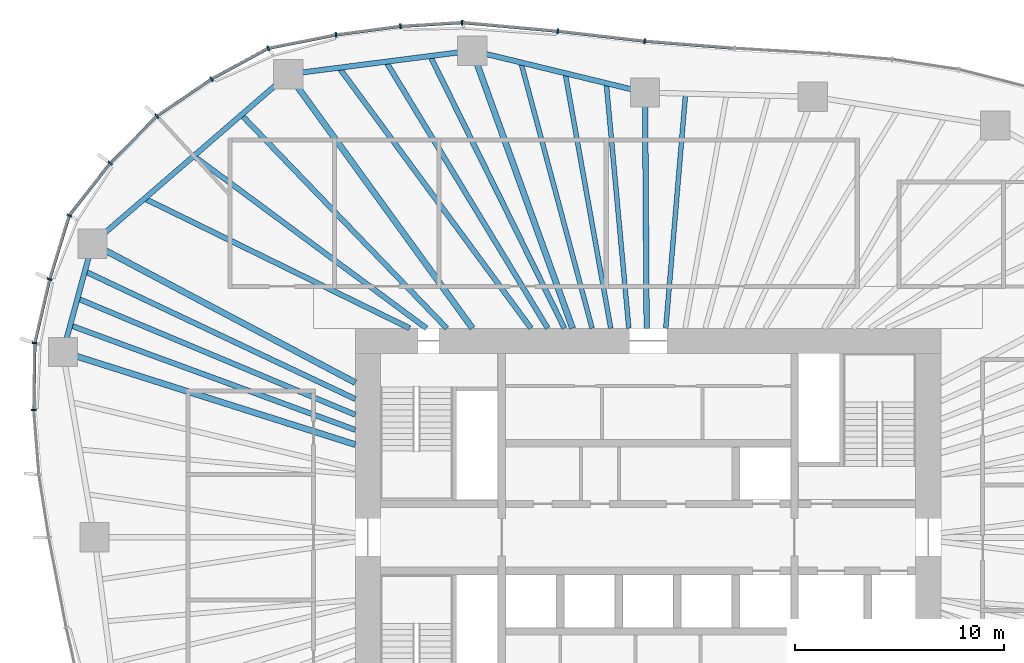
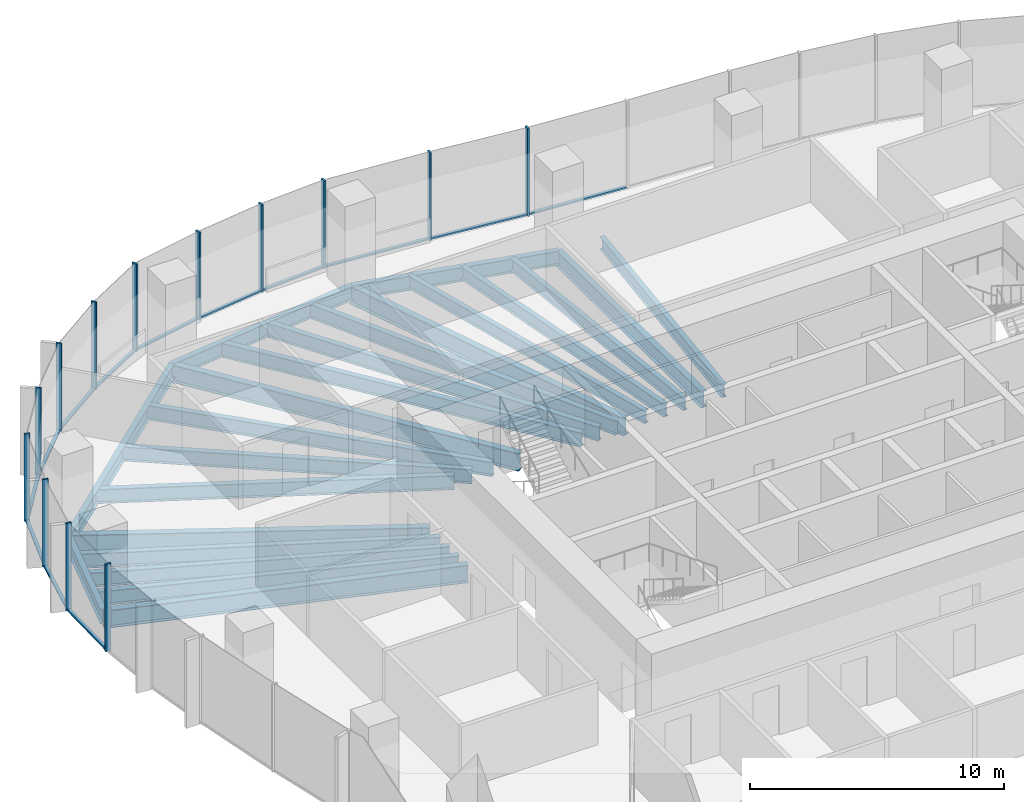
# One storey, part 5 of 18: 26 members, 22 beams, 6 elements without a shape of their own.
"""IFC4 building model written with IfcOpenShell, lengths in metres."""

from ifc_helpers import new_model, si_unit, direction, frame, origin, origin_2d, place, context, subcontext, project, spatial, rectangle, i_section, extrude, material, material_profile, profile_set, type_object, element, aggregate, save


model = new_model("IFC4")

# Units and contexts
model_context = context("Model", 3, precision=1e-05, world=origin(), true_north=direction((0.0, 1.0)))
body_context = subcontext(model_context, "Body", "Model", "MODEL_VIEW")
ifc_project = project(units=[si_unit("LENGTHUNIT", "METRE"), si_unit("AREAUNIT", "SQUARE_METRE"), si_unit("VOLUMEUNIT", "CUBIC_METRE"), si_unit("PLANEANGLEUNIT", "RADIAN"), si_unit("MASSUNIT", "GRAM", prefix="KILO")], contexts=[model_context])

# Site, building, storey
site_placement = place(None, origin())
site = spatial("IfcSite", under=ifc_project, at=site_placement, CompositionType="ELEMENT")
building_placement = place(site_placement, origin())
building = spatial("IfcBuilding", under=site, at=building_placement, Name="Ghaith Harvest Tower", CompositionType="ELEMENT")
storey_placement = place(building_placement, frame((0.0, 0.0, 180.60009765625)))
storey = spatial("IfcBuildingStorey", under=building, at=storey_placement, Name="L39", CompositionType="ELEMENT", Elevation=180.60009765625)

# Curtain wall, members
ifc_material_1 = material(Name="Black anodised aluminium and fritted glass", Category="aluminium")
curtain_wall_type = type_object("IfcCurtainWallType", Name="CW-L CURTAIN WALL", PredefinedType="NOTDEFINED", material=ifc_material_1)
curtain_wall_1_placement = place(storey_placement, origin())
curtain_wall_1 = element("IfcCurtainWall", 1, at=curtain_wall_1_placement, inside=storey, type_object=curtain_wall_type, Name="Curtain wall CW-L bay 06 L39", PredefinedType="NOTDEFINED")
ifc_material_2 = material(Name="Aluminium, black anodised", Category="aluminium")
ifc_material_profile_1 = material_profile(ifc_material_2, rectangle(XDim=0.080078125, YDim=0.239990234375, at=origin_2d()), Name="CW-L MULLION 80x240")
ifc_profile_set_1 = profile_set([ifc_material_profile_1], Name="Aluminium, black anodised")
member_type_1 = type_object("IfcMemberType", Name="CW-L MULLION 80x240", PredefinedType="MULLION", material=ifc_profile_set_1)
member_1_placement = place(storey_placement, frame((-0.162353515625, 23.729736328125, 0.0), z_axis=(0.0, 0.0, 1.0), x_axis=(-0.995388088953, 0.095929934691, 0.0)))
member_1 = element("IfcMember", 2, at=member_1_placement, type_object=member_type_1, Name="CW-L mullion 1 bay 06 L39", PredefinedType="MULLION", context=body_context, shape_type="SweptSolid", body=[
    extrude(rectangle(XDim=0.080078125, YDim=0.239990234375, at=origin_2d()), origin(), (0.0, 0.0, 1.0), 4.199951171875),
])
member_2_placement = place(storey_placement, frame((-4.322998046875, 24.207275390625, 0.0), z_axis=(0.0, 0.0, 1.0), x_axis=(-0.994830371571, 0.101550636625, 0.0)))
member_2 = element("IfcMember", 3, at=member_2_placement, type_object=member_type_1, Name="CW-L mullion 2 bay 06 L39", PredefinedType="MULLION", context=body_context, shape_type="SweptSolid", body=[
    extrude(rectangle(XDim=0.080078125, YDim=0.239990234375, at=origin_2d()), origin(), (0.0, 0.0, 1.0), 4.199951171875),
])

curtain_wall_2_placement = place(storey_placement, origin())
curtain_wall_2 = element("IfcCurtainWall", 4, at=curtain_wall_2_placement, inside=storey, type_object=curtain_wall_type, Name="Curtain wall CW-L bay 07 L39", PredefinedType="NOTDEFINED")
member_3_placement = place(storey_placement, frame((-8.892578125, 24.620849609375, 0.0), z_axis=(0.0, 0.0, 1.0), x_axis=(-0.999522209385, 0.030908784286, 0.0)))
member_3 = element("IfcMember", 5, at=member_3_placement, type_object=member_type_1, Name="CW-L mullion 1 bay 07 L39", PredefinedType="MULLION", context=body_context, shape_type="SweptSolid", body=[
    extrude(rectangle(XDim=0.080078125, YDim=0.239990234375, at=origin_2d()), origin(), (0.0, 0.0, 1.0), 4.199951171875),
])
member_4_placement = place(storey_placement, frame((-11.841064453125, 24.439697265625, 0.0), z_axis=(0.0, 0.0, 1.0), x_axis=(-0.995237520168, -0.097479630949, 0.0)))
member_4 = element("IfcMember", 6, at=member_4_placement, type_object=member_type_1, Name="CW-L mullion 2 bay 07 L39", PredefinedType="MULLION", context=body_context, shape_type="SweptSolid", body=[
    extrude(rectangle(XDim=0.080078125, YDim=0.239990234375, at=origin_2d()), origin(), (0.0, 0.0, 1.0), 4.199951171875),
])
member_5_placement = place(storey_placement, frame((-14.923828125, 24.030029296875, 0.0), z_axis=(0.0, 0.0, 1.0), x_axis=(-0.986494514812, -0.163794298578, 0.0)))
member_5 = element("IfcMember", 7, at=member_5_placement, type_object=member_type_1, Name="CW-L mullion 3 bay 07 L39", PredefinedType="MULLION", context=body_context, shape_type="SweptSolid", body=[
    extrude(rectangle(XDim=0.080078125, YDim=0.239990234375, at=origin_2d()), origin(), (0.0, 0.0, 1.0), 4.199951171875),
])

curtain_wall_3_placement = place(storey_placement, origin())
curtain_wall_3 = element("IfcCurtainWall", 8, at=curtain_wall_3_placement, inside=storey, type_object=curtain_wall_type, Name="Curtain wall CW-L bay 08 L39", PredefinedType="NOTDEFINED")
member_6_placement = place(storey_placement, frame((-18.165283203125, 23.3896484375, 0.0), z_axis=(0.0, 0.0, 1.0), x_axis=(-0.942103541202, -0.335322110298, 0.0)))
member_6 = element("IfcMember", 9, at=member_6_placement, type_object=member_type_1, Name="CW-L mullion 1 bay 08 L39", PredefinedType="MULLION", context=body_context, shape_type="SweptSolid", body=[
    extrude(rectangle(XDim=0.080078125, YDim=0.239990234375, at=origin_2d()), origin(), (0.0, 0.0, 1.0), 4.199951171875),
])
member_7_placement = place(storey_placement, frame((-20.87548828125, 21.91162109375, 0.0), z_axis=(0.0, 0.0, 1.0), x_axis=(-0.853515864435, -0.521066856707, 0.0)))
member_7 = element("IfcMember", 10, at=member_7_placement, type_object=member_type_1, Name="CW-L mullion 2 bay 08 L39", PredefinedType="MULLION", context=body_context, shape_type="SweptSolid", body=[
    extrude(rectangle(XDim=0.080078125, YDim=0.239990234375, at=origin_2d()), origin(), (0.0, 0.0, 1.0), 4.199951171875),
])
member_8_placement = place(storey_placement, frame((-23.489501953125, 20.13916015625, 0.0), z_axis=(0.0, 0.0, 1.0), x_axis=(-0.769682554376, -0.638426789451, 0.0)))
member_8 = element("IfcMember", 11, at=member_8_placement, type_object=member_type_1, Name="CW-L mullion 3 bay 08 L39", PredefinedType="MULLION", context=body_context, shape_type="SweptSolid", body=[
    extrude(rectangle(XDim=0.080078125, YDim=0.239990234375, at=origin_2d()), origin(), (0.0, 0.0, 1.0), 4.199951171875),
])

curtain_wall_4_placement = place(storey_placement, origin())
curtain_wall_4 = element("IfcCurtainWall", 12, at=curtain_wall_4_placement, inside=storey, type_object=curtain_wall_type, Name="Curtain wall CW-L bay 09 L39", PredefinedType="NOTDEFINED")
member_9_placement = place(storey_placement, frame((-25.718017578125, 17.894775390625, 0.0), z_axis=(0.0, 0.0, 1.0), x_axis=(-0.661903840688, -0.749588757708, 0.0)))
member_9 = element("IfcMember", 13, at=member_9_placement, type_object=member_type_1, Name="CW-L mullion 1 bay 09 L39", PredefinedType="MULLION", context=body_context, shape_type="SweptSolid", body=[
    extrude(rectangle(XDim=0.080078125, YDim=0.239990234375, at=origin_2d()), origin(), (0.0, 0.0, 1.0), 4.199951171875),
])
member_10_placement = place(storey_placement, frame((-27.67919921875, 15.39453125, 0.0), z_axis=(0.0, 0.0, 1.0), x_axis=(-0.462889784298, -0.886415843491, 0.0)))
member_10 = element("IfcMember", 14, at=member_10_placement, type_object=member_type_1, Name="CW-L mullion 2 bay 09 L39", PredefinedType="MULLION", context=body_context, shape_type="SweptSolid", body=[
    extrude(rectangle(XDim=0.080078125, YDim=0.239990234375, at=origin_2d()), origin(), (0.0, 0.0, 1.0), 4.199951171875),
])
member_11_placement = place(storey_placement, frame((-28.61669921875, 12.343994140625, 0.0), z_axis=(0.0, 0.0, 1.0), x_axis=(-0.260727312416, -0.965412486226, 0.0)))
member_11 = element("IfcMember", 15, at=member_11_placement, type_object=member_type_1, Name="CW-L mullion 3 bay 09 L39", PredefinedType="MULLION", context=body_context, shape_type="SweptSolid", body=[
    extrude(rectangle(XDim=0.080078125, YDim=0.239990234375, at=origin_2d()), origin(), (0.0, 0.0, 1.0), 4.199951171875),
])

curtain_wall_5_placement = place(storey_placement, origin())
curtain_wall_5 = element("IfcCurtainWall", 16, at=curtain_wall_5_placement, inside=storey, type_object=curtain_wall_type, Name="Curtain wall CW-L bay 10 L39", PredefinedType="NOTDEFINED")
member_12_placement = place(storey_placement, frame((-29.32666015625, 9.294189453125, 0.0), z_axis=(0.0, 0.0, 1.0), x_axis=(-0.120932140225, -0.99266077663, 0.0)))
member_12 = element("IfcMember", 17, at=member_12_placement, type_object=member_type_1, Name="CW-L mullion 1 bay 10 L39", PredefinedType="MULLION", context=body_context, shape_type="SweptSolid", body=[
    extrude(rectangle(XDim=0.080078125, YDim=0.239990234375, at=origin_2d()), origin(), (0.0, 0.0, 1.0), 4.199951171875),
])
member_13_placement = place(storey_placement, frame((-29.3779296875, 6.09619140625, 0.0), z_axis=(0.0, 0.0, 1.0), x_axis=(0.031027769448, -0.999518522851, 0.0)))
member_13 = element("IfcMember", 18, at=member_13_placement, type_object=member_type_1, Name="CW-L mullion 2 bay 10 L39", PredefinedType="MULLION", context=body_context, shape_type="SweptSolid", body=[
    extrude(rectangle(XDim=0.080078125, YDim=0.239990234375, at=origin_2d()), origin(), (0.0, 0.0, 1.0), 4.199951171875),
])

# Curtain wall, member
curtain_wall_6_placement = place(storey_placement, origin())
curtain_wall_6 = element("IfcCurtainWall", 19, at=curtain_wall_6_placement, inside=storey, type_object=curtain_wall_type, Name="Curtain wall CW-L bay 05 L39", PredefinedType="NOTDEFINED")
ifc_material_3 = material(Name="Aluminium, black anodised", Category="aluminium")
ifc_material_profile_2 = material_profile(ifc_material_3, rectangle(XDim=0.14990234375, YDim=0.080078125, at=origin_2d()), Name="CW-L TRANSOM 150x80")
ifc_profile_set_2 = profile_set([ifc_material_profile_2], Name="Aluminium, black anodised")
member_type_2 = type_object("IfcMemberType", Name="CW-L TRANSOM 150x80", PredefinedType="USERDEFINED", material=ifc_profile_set_2)
member_14_placement = place(storey_placement, frame((4.106689453125, 23.39404296875, 0.039794921875), z_axis=(-0.996923406046, 0.078381901463, 0.0), x_axis=(-0.078381901463, -0.996923406046, 0.0)))
member_14 = element("IfcMember", 20, at=member_14_placement, type_object=member_type_2, Name="CW-L transom 2 bay 05 L39", ObjectType="TRANSOM", PredefinedType="USERDEFINED", context=body_context, shape_type="SweptSolid", body=[
    extrude(rectangle(XDim=0.14990234375, YDim=0.080078125, at=origin_2d()), origin(), (0.0, 0.0, 1.0), 4.2421875),
])
aggregate(curtain_wall_6, [member_14])

# Member
member_15_placement = place(storey_placement, frame((-0.2021484375, 23.734130859375, 0.039794921875), z_axis=(-0.993474883942, 0.114051106861, 0.0), x_axis=(-0.114051106861, -0.993474883942, 0.0)))
member_15 = element("IfcMember", 21, at=member_15_placement, type_object=member_type_2, Name="CW-L transom 1 bay 06 L39", ObjectType="TRANSOM", PredefinedType="USERDEFINED", context=body_context, shape_type="SweptSolid", body=[
    extrude(rectangle(XDim=0.14990234375, YDim=0.080078125, at=origin_2d()), origin(), (0.0, 0.0, 1.0), 4.10791015625),
])

member_16_placement = place(storey_placement, frame((-4.36279296875, 24.210693359375, 0.039794921875), z_axis=(-0.995926431676, 0.090169521954, 0.0), x_axis=(-0.090169521954, -0.995926431676, 0.0)))
member_16 = element("IfcMember", 22, at=member_16_placement, type_object=member_type_2, Name="CW-L transom 2 bay 06 L39", ObjectType="TRANSOM", PredefinedType="USERDEFINED", context=body_context, shape_type="SweptSolid", body=[
    extrude(rectangle(XDim=0.14990234375, YDim=0.080078125, at=origin_2d()), origin(), (0.0, 0.0, 1.0), 4.508056640625),
])

aggregate(curtain_wall_1, [member_1, member_15, member_2, member_16])

member_17_placement = place(storey_placement, frame((-8.932373046875, 24.618408203125, 0.039794921875), z_axis=(-0.998117793577, -0.061325933705, 0.0), x_axis=(0.061325933705, -0.998117793577, 0.0)))
member_17 = element("IfcMember", 23, at=member_17_placement, type_object=member_type_2, Name="CW-L transom 1 bay 07 L39", ObjectType="TRANSOM", PredefinedType="USERDEFINED", context=body_context, shape_type="SweptSolid", body=[
    extrude(rectangle(XDim=0.14990234375, YDim=0.080078125, at=origin_2d()), origin(), (0.0, 0.0, 1.0), 2.874267578125),
])

member_18_placement = place(storey_placement, frame((-11.880859375, 24.434326171875, 0.039794921875), z_axis=(-0.991293929443, -0.131667556553, 0.0), x_axis=(0.131667556553, -0.991293929443, 0.0)))
member_18 = element("IfcMember", 24, at=member_18_placement, type_object=member_type_2, Name="CW-L transom 2 bay 07 L39", ObjectType="TRANSOM", PredefinedType="USERDEFINED", context=body_context, shape_type="SweptSolid", body=[
    extrude(rectangle(XDim=0.14990234375, YDim=0.080078125, at=origin_2d()), origin(), (0.0, 0.0, 1.0), 3.02978515625),
])

member_19_placement = place(storey_placement, frame((-14.963134765625, 24.022216796875, 0.039794921875), z_axis=(-0.98104391994, -0.19378551842, 0.0), x_axis=(0.19378551842, -0.98104391994, 0.0)))
member_19 = element("IfcMember", 25, at=member_19_placement, type_object=member_type_2, Name="CW-L transom 3 bay 07 L39", ObjectType="TRANSOM", PredefinedType="USERDEFINED", context=body_context, shape_type="SweptSolid", body=[
    extrude(rectangle(XDim=0.14990234375, YDim=0.080078125, at=origin_2d()), origin(), (0.0, 0.0, 1.0), 3.223876953125),
])

aggregate(curtain_wall_2, [member_3, member_17, member_4, member_18, member_5, member_19])

member_20_placement = place(storey_placement, frame((-18.200439453125, 23.37060546875, 0.039794921875), z_axis=(-0.877929702377, -0.478789554695, 0.0), x_axis=(0.478789554695, -0.877929702377, 0.0)))
member_20 = element("IfcMember", 26, at=member_20_placement, type_object=member_type_2, Name="CW-L transom 1 bay 08 L39", ObjectType="TRANSOM", PredefinedType="USERDEFINED", context=body_context, shape_type="SweptSolid", body=[
    extrude(rectangle(XDim=0.14990234375, YDim=0.080078125, at=origin_2d()), origin(), (0.0, 0.0, 1.0), 3.0068359375),
])

member_21_placement = place(storey_placement, frame((-20.908447265625, 21.88916015625, 0.039794921875), z_axis=(-0.827681025079, -0.561198824593, 0.0), x_axis=(0.561198824593, -0.827681025079, 0.0)))
member_21 = element("IfcMember", 27, at=member_21_placement, type_object=member_type_2, Name="CW-L transom 2 bay 08 L39", ObjectType="TRANSOM", PredefinedType="USERDEFINED", context=body_context, shape_type="SweptSolid", body=[
    extrude(rectangle(XDim=0.14990234375, YDim=0.080078125, at=origin_2d()), origin(), (0.0, 0.0, 1.0), 3.078369140625),
])

member_22_placement = place(storey_placement, frame((-23.517578125, 20.11083984375, 0.039794921875), z_axis=(-0.704647577514, -0.709557461735, 0.0), x_axis=(0.709557461735, -0.704647577514, 0.0)))
member_22 = element("IfcMember", 28, at=member_22_placement, type_object=member_type_2, Name="CW-L transom 3 bay 08 L39", ObjectType="TRANSOM", PredefinedType="USERDEFINED", context=body_context, shape_type="SweptSolid", body=[
    extrude(rectangle(XDim=0.14990234375, YDim=0.080078125, at=origin_2d()), origin(), (0.0, 0.0, 1.0), 3.0830078125),
])

aggregate(curtain_wall_3, [member_6, member_20, member_7, member_21, member_8, member_22])

member_23_placement = place(storey_placement, frame((-25.74267578125, 17.86328125, 0.039794921875), z_axis=(-0.617198298797, -0.786807638474, 0.0), x_axis=(0.786807638474, -0.617198298797, 0.0)))
member_23 = element("IfcMember", 29, at=member_23_placement, type_object=member_type_2, Name="CW-L transom 1 bay 09 L39", ObjectType="TRANSOM", PredefinedType="USERDEFINED", context=body_context, shape_type="SweptSolid", body=[
    extrude(rectangle(XDim=0.14990234375, YDim=0.080078125, at=origin_2d()), origin(), (0.0, 0.0, 1.0), 3.09765625),
])

member_24_placement = place(storey_placement, frame((-27.69091796875, 15.356201171875, 0.039794921875), z_axis=(-0.293777058804, -0.955873966441, 0.0), x_axis=(0.955873966441, -0.293777058804, 0.0)))
member_24 = element("IfcMember", 30, at=member_24_placement, type_object=member_type_2, Name="CW-L transom 2 bay 09 L39", ObjectType="TRANSOM", PredefinedType="USERDEFINED", context=body_context, shape_type="SweptSolid", body=[
    extrude(rectangle(XDim=0.14990234375, YDim=0.080078125, at=origin_2d()), origin(), (0.0, 0.0, 1.0), 3.111328125),
])

member_25_placement = place(storey_placement, frame((-28.6259765625, 12.304931640625, 0.039794921875), z_axis=(-0.226670598607, -0.973971477882, 0.0), x_axis=(0.973971477882, -0.226670598607, 0.0)))
member_25 = element("IfcMember", 31, at=member_25_placement, type_object=member_type_2, Name="CW-L transom 3 bay 09 L39", ObjectType="TRANSOM", PredefinedType="USERDEFINED", context=body_context, shape_type="SweptSolid", body=[
    extrude(rectangle(XDim=0.14990234375, YDim=0.080078125, at=origin_2d()), origin(), (0.0, 0.0, 1.0), 3.05126953125),
])

aggregate(curtain_wall_4, [member_9, member_23, member_10, member_24, member_11, member_25])

member_26_placement = place(storey_placement, frame((-29.327392578125, 9.254150390625, 0.039794921875), z_axis=(-0.015971652868, -0.999872445017, 0.0), x_axis=(0.999872445017, -0.015971652868, 0.0)))
member_26 = element("IfcMember", 32, at=member_26_placement, type_object=member_type_2, Name="CW-L transom 1 bay 10 L39", ObjectType="TRANSOM", PredefinedType="USERDEFINED", context=body_context, shape_type="SweptSolid", body=[
    extrude(rectangle(XDim=0.14990234375, YDim=0.080078125, at=origin_2d()), origin(), (0.0, 0.0, 1.0), 3.118408203125),
])

aggregate(curtain_wall_5, [member_12, member_26, member_13])

# Beams
ifc_material_4 = material(Name="Steel ASTM A992 Grade 50", Category="steel")
ifc_material_profile_3 = material_profile(ifc_material_4, i_section(OverallWidth=0.25390625, OverallDepth=0.68408203125, WebThickness=0.012451171875, FlangeThickness=0.018798828125, at=origin_2d()), Name="W690X140")
ifc_profile_set_3 = profile_set([ifc_material_profile_3], Name="Steel ASTM A992 Grade 50")
beam_type_1 = type_object("IfcBeamType", Name="E690-140 W690X140", PredefinedType="SPANDREL", material=ifc_profile_set_3)
beam_1_placement = place(storey_placement, frame((-0.14599609375, 21.27099609375, -0.51220703125), z_axis=(-0.971790293477, 0.235846614358, 0.0), x_axis=(-0.235846614358, -0.971790293477, 0.0)))
element("IfcBeam", 33, at=beam_1_placement, inside=storey, type_object=beam_type_1, Name="Edge beam E06 L39", PredefinedType="SPANDREL", context=body_context, shape_type="SweptSolid", body=[
    extrude(i_section(OverallWidth=0.25390625, OverallDepth=0.68408203125, WebThickness=0.012451171875, FlangeThickness=0.018798828125, at=origin_2d()), origin(), (0.0, 0.0, 1.0), 8.500732421875),
])
beam_2_placement = place(storey_placement, frame((-8.406982421875, 23.27587890625, -0.51220703125), z_axis=(-0.991904090065, -0.126989275577, 0.0), x_axis=(0.126989275577, -0.991904090065, 0.0)))
element("IfcBeam", 34, at=beam_2_placement, inside=storey, type_object=beam_type_1, Name="Edge beam E07 L39", PredefinedType="SPANDREL", context=body_context, shape_type="SweptSolid", body=[
    extrude(i_section(OverallWidth=0.25390625, OverallDepth=0.68408203125, WebThickness=0.012451171875, FlangeThickness=0.018798828125, at=origin_2d()), origin(), (0.0, 0.0, 1.0), 8.86669921875),
])
beam_3_placement = place(storey_placement, frame((-17.201904296875, 22.14990234375, -0.51220703125), z_axis=(-0.756392158274, -0.654118416574, 0.0), x_axis=(0.654118416574, -0.756392158274, 0.0)))
element("IfcBeam", 35, at=beam_3_placement, inside=storey, type_object=beam_type_1, Name="Edge beam E08 L39", PredefinedType="SPANDREL", context=body_context, shape_type="SweptSolid", body=[
    extrude(i_section(OverallWidth=0.25390625, OverallDepth=0.68408203125, WebThickness=0.012451171875, FlangeThickness=0.018798828125, at=origin_2d()), origin(), (0.0, 0.0, 1.0), 12.38916015625),
])
beam_4_placement = place(storey_placement, frame((-26.572998046875, 14.0458984375, -0.51220703125), z_axis=(-0.262724740433, -0.964870825947, 0.0), x_axis=(0.964870825947, -0.262724740433, 0.0)))
element("IfcBeam", 36, at=beam_4_placement, inside=storey, type_object=beam_type_1, Name="Edge beam E09 L39", PredefinedType="SPANDREL", context=body_context, shape_type="SweptSolid", body=[
    extrude(i_section(OverallWidth=0.25390625, OverallDepth=0.68408203125, WebThickness=0.012451171875, FlangeThickness=0.018798828125, at=origin_2d()), origin(), (0.0, 0.0, 1.0), 5.366455078125),
])
ifc_material_5 = material(Name="Steel ASTM A992 Grade 50", Category="steel")
ifc_material_profile_4 = material_profile(ifc_material_5, i_section(OverallWidth=0.26806640625, OverallDepth=0.77001953125, WebThickness=0.015625, FlangeThickness=0.025390625, at=origin_2d()), Name="W760X196")
ifc_profile_set_4 = profile_set([ifc_material_profile_4], Name="Steel ASTM A992 Grade 50")
beam_type_2 = type_object("IfcBeamType", Name="G760-196 W760X196", PredefinedType="BEAM", material=ifc_profile_set_4)
beam_5_placement = place(storey_placement, frame((-0.068359375, 10.0, -0.55517578125), z_axis=(-0.006888022705, 0.99997627729, 0.0), x_axis=(-0.99997627729, -0.006888022705, 0.0)))
element("IfcBeam", 37, at=beam_5_placement, inside=storey, type_object=beam_type_2, Name="Radial girder G06 L39", PredefinedType="BEAM", context=body_context, shape_type="SweptSolid", body=[
    extrude(i_section(OverallWidth=0.26806640625, OverallDepth=0.77001953125, WebThickness=0.015625, FlangeThickness=0.025390625, at=origin_2d()), origin(), (0.0, 0.0, 1.0), 11.271240234375),
])
ifc_material_6 = material(Name="Steel ASTM A992 Grade 50", Category="steel")
ifc_material_profile_5 = material_profile(ifc_material_6, i_section(OverallWidth=0.2939453125, OverallDepth=0.85107421875, WebThickness=0.01611328125, FlangeThickness=0.02685546875, at=origin_2d()), Name="W840X226")
ifc_profile_set_5 = profile_set([ifc_material_profile_5], Name="Steel ASTM A992 Grade 50")
beam_type_3 = type_object("IfcBeamType", Name="G840-226 W840X226", PredefinedType="BEAM", material=ifc_profile_set_5)
beam_6_placement = place(storey_placement, frame((-3.61181640625, 10.0, -0.595703125), z_axis=(-0.339713316819, 0.940529033245, 0.0), x_axis=(-0.940529033245, -0.339713316819, 0.0)))
element("IfcBeam", 38, at=beam_6_placement, inside=storey, type_object=beam_type_3, Name="Radial girder G07 L39", PredefinedType="BEAM", context=body_context, shape_type="SweptSolid", body=[
    extrude(i_section(OverallWidth=0.2939453125, OverallDepth=0.85107421875, WebThickness=0.01611328125, FlangeThickness=0.02685546875, at=origin_2d()), origin(), (0.0, 0.0, 1.0), 14.115234375),
])
beam_7_placement = place(storey_placement, frame((-8.39990234375, 10.0, -0.595703125), z_axis=(-0.586675813287, 0.809821887889, 0.0), x_axis=(-0.809821887889, -0.586675813287, 0.0)))
element("IfcBeam", 39, at=beam_7_placement, inside=storey, type_object=beam_type_3, Name="Radial girder G08 L39", PredefinedType="BEAM", context=body_context, shape_type="SweptSolid", body=[
    extrude(i_section(OverallWidth=0.2939453125, OverallDepth=0.85107421875, WebThickness=0.01611328125, FlangeThickness=0.02685546875, at=origin_2d()), origin(), (0.0, 0.0, 1.0), 15.003173828125),
])
beam_8_placement = place(storey_placement, frame((-14.0, 7.39990234375, -0.595703125), z_axis=(-0.88408713845, 0.467322085533, 0.0), x_axis=(-0.467322085533, -0.88408713845, 0.0)))
element("IfcBeam", 40, at=beam_8_placement, inside=storey, type_object=beam_type_3, Name="Radial girder G09 L39", PredefinedType="BEAM", context=body_context, shape_type="SweptSolid", body=[
    extrude(i_section(OverallWidth=0.2939453125, OverallDepth=0.85107421875, WebThickness=0.01611328125, FlangeThickness=0.02685546875, at=origin_2d()), origin(), (0.0, 0.0, 1.0), 14.221435546875),
])
beam_9_placement = place(storey_placement, frame((-14.0, 4.43701171875, -0.595703125), z_axis=(-0.953283605796, 0.302076756671, 0.0), x_axis=(-0.302076756671, -0.953283605796, 0.0)))
element("IfcBeam", 41, at=beam_9_placement, inside=storey, type_object=beam_type_3, Name="Radial girder G10 L39", PredefinedType="BEAM", context=body_context, shape_type="SweptSolid", body=[
    extrude(i_section(OverallWidth=0.2939453125, OverallDepth=0.85107421875, WebThickness=0.01611328125, FlangeThickness=0.02685546875, at=origin_2d()), origin(), (0.0, 0.0, 1.0), 14.668212890625),
])
ifc_material_7 = material(Name="Steel ASTM A992 Grade 50", Category="steel")
ifc_material_profile_6 = material_profile(ifc_material_7, i_section(OverallWidth=0.22900390625, OverallDepth=0.612060546875, WebThickness=0.011962890625, FlangeThickness=0.01953125, at=origin_2d()), Name="W610X125")
ifc_profile_set_6 = profile_set([ifc_material_profile_6], Name="Steel ASTM A992 Grade 50")
beam_type_4 = type_object("IfcBeamType", Name="J610-125 W610X125", PredefinedType="JOIST", material=ifc_profile_set_6)
beam_10_placement = place(storey_placement, frame((0.844970703125, 10.0, -0.47607421875), z_axis=(0.084213263804, 0.996447753873, 0.0), x_axis=(-0.996447753873, 0.084213263804, 0.0)))
element("IfcBeam", 42, at=beam_10_placement, inside=storey, type_object=beam_type_4, Name="Joist J05.3 L39", PredefinedType="JOIST", context=body_context, shape_type="SweptSolid", body=[
    extrude(i_section(OverallWidth=0.22900390625, OverallDepth=0.612060546875, WebThickness=0.011962890625, FlangeThickness=0.01953125, at=origin_2d()), origin(), (0.0, 0.0, 1.0), 11.262939453125),
])
beam_11_placement = place(storey_placement, frame((-0.92041015625, 10.0, -0.47607421875), z_axis=(-0.091659676302, 0.995790391468, 0.0), x_axis=(-0.995790391468, -0.091659676302, 0.0)))
element("IfcBeam", 43, at=beam_11_placement, inside=storey, type_object=beam_type_4, Name="Joist J06.1 L39", PredefinedType="JOIST", context=body_context, shape_type="SweptSolid", body=[
    extrude(i_section(OverallWidth=0.22900390625, OverallDepth=0.612060546875, WebThickness=0.011962890625, FlangeThickness=0.01953125, at=origin_2d()), origin(), (0.0, 0.0, 1.0), 11.770263671875),
])
beam_12_placement = place(storey_placement, frame((-1.785888671875, 10.0, -0.47607421875), z_axis=(-0.175794730188, 0.984426844838, 0.0), x_axis=(-0.984426844838, -0.175794730188, 0.0)))
element("IfcBeam", 44, at=beam_12_placement, inside=storey, type_object=beam_type_4, Name="Joist J06.2 L39", PredefinedType="JOIST", context=body_context, shape_type="SweptSolid", body=[
    extrude(i_section(OverallWidth=0.22900390625, OverallDepth=0.612060546875, WebThickness=0.011962890625, FlangeThickness=0.01953125, at=origin_2d()), origin(), (0.0, 0.0, 1.0), 12.390625),
])
beam_13_placement = place(storey_placement, frame((-2.677978515625, 10.0, -0.47607421875), z_axis=(-0.258692500157, 0.965959725021, 0.0), x_axis=(-0.965959725021, -0.258692500157, 0.0)))
element("IfcBeam", 45, at=beam_13_placement, inside=storey, type_object=beam_type_4, Name="Joist J06.3 L39", PredefinedType="JOIST", context=body_context, shape_type="SweptSolid", body=[
    extrude(i_section(OverallWidth=0.22900390625, OverallDepth=0.612060546875, WebThickness=0.011962890625, FlangeThickness=0.01953125, at=origin_2d()), origin(), (0.0, 0.0, 1.0), 13.15966796875),
])
ifc_material_8 = material(Name="Steel ASTM A992 Grade 50", Category="steel")
ifc_material_profile_7 = material_profile(ifc_material_8, i_section(OverallWidth=0.25390625, OverallDepth=0.68408203125, WebThickness=0.012451171875, FlangeThickness=0.018798828125, at=origin_2d()), Name="W690X140")
ifc_profile_set_7 = profile_set([ifc_material_profile_7], Name="Steel ASTM A992 Grade 50")
beam_type_5 = type_object("IfcBeamType", Name="J690-140 W690X140", PredefinedType="JOIST", material=ifc_profile_set_7)
beam_14_placement = place(storey_placement, frame((-4.0, 10.0, -0.51220703125), z_axis=(-0.442214455448, 0.896909346251, 0.0), x_axis=(-0.896909346251, -0.442214455448, 0.0)))
element("IfcBeam", 46, at=beam_14_placement, inside=storey, type_object=beam_type_5, Name="Joist J07.1 L39", PredefinedType="JOIST", context=body_context, shape_type="SweptSolid", body=[
    extrude(i_section(OverallWidth=0.25390625, OverallDepth=0.68408203125, WebThickness=0.012451171875, FlangeThickness=0.018798828125, at=origin_2d()), origin(), (0.0, 0.0, 1.0), 14.514892578125),
])
beam_15_placement = place(storey_placement, frame((-4.800048828125, 10.0, -0.51220703125), z_axis=(-0.51847337083, 0.855093774822, 0.0), x_axis=(-0.855093774822, -0.51847337083, 0.0)))
element("IfcBeam", 47, at=beam_15_placement, inside=storey, type_object=beam_type_5, Name="Joist J07.2 L39", PredefinedType="JOIST", context=body_context, shape_type="SweptSolid", body=[
    extrude(i_section(OverallWidth=0.25390625, OverallDepth=0.68408203125, WebThickness=0.012451171875, FlangeThickness=0.018798828125, at=origin_2d()), origin(), (0.0, 0.0, 1.0), 14.90869140625),
])
beam_16_placement = place(storey_placement, frame((-5.60009765625, 10.0, -0.51220703125), z_axis=(-0.592984827174, 0.805213632983, 0.0), x_axis=(-0.805213632983, -0.592984827174, 0.0)))
element("IfcBeam", 48, at=beam_16_placement, inside=storey, type_object=beam_type_5, Name="Joist J07.3 L39", PredefinedType="JOIST", context=body_context, shape_type="SweptSolid", body=[
    extrude(i_section(OverallWidth=0.25390625, OverallDepth=0.68408203125, WebThickness=0.012451171875, FlangeThickness=0.018798828125, at=origin_2d()), origin(), (0.0, 0.0, 1.0), 15.474609375),
])
beam_17_placement = place(storey_placement, frame((-9.626708984375, 10.0, -0.51220703125), z_axis=(-0.693535693616, 0.720422266231, 0.0), x_axis=(-0.720422266231, -0.693535693616, 0.0)))
element("IfcBeam", 49, at=beam_17_placement, inside=storey, type_object=beam_type_5, Name="Joist J08.1 L39", PredefinedType="JOIST", context=body_context, shape_type="SweptSolid", body=[
    extrude(i_section(OverallWidth=0.25390625, OverallDepth=0.68408203125, WebThickness=0.012451171875, FlangeThickness=0.018798828125, at=origin_2d()), origin(), (0.0, 0.0, 1.0), 14.16552734375),
])
beam_18_placement = place(storey_placement, frame((-10.60009765625, 10.0, -0.51220703125), z_axis=(-0.803663089107, 0.595084564752, 0.0), x_axis=(-0.595084564752, -0.803663089107, 0.0)))
element("IfcBeam", 50, at=beam_18_placement, inside=storey, type_object=beam_type_5, Name="Joist J08.2 L39", PredefinedType="JOIST", context=body_context, shape_type="SweptSolid", body=[
    extrude(i_section(OverallWidth=0.25390625, OverallDepth=0.68408203125, WebThickness=0.012451171875, FlangeThickness=0.018798828125, at=origin_2d()), origin(), (0.0, 0.0, 1.0), 13.843505859375),
])
beam_19_placement = place(storey_placement, frame((-11.39990234375, 10.0, -0.51220703125), z_axis=(-0.898274832354, 0.439434096946, 0.0), x_axis=(-0.439434096946, -0.898274832354, 0.0)))
element("IfcBeam", 51, at=beam_19_placement, inside=storey, type_object=beam_type_5, Name="Joist J08.3 L39", PredefinedType="JOIST", context=body_context, shape_type="SweptSolid", body=[
    extrude(i_section(OverallWidth=0.25390625, OverallDepth=0.68408203125, WebThickness=0.012451171875, FlangeThickness=0.018798828125, at=origin_2d()), origin(), (0.0, 0.0, 1.0), 14.114990234375),
])
beam_20_placement = place(storey_placement, frame((-14.0, 6.614990234375, -0.51220703125), z_axis=(-0.904153428261, 0.427207886354, 0.0), x_axis=(-0.427207886354, -0.904153428261, 0.0)))
element("IfcBeam", 52, at=beam_20_placement, inside=storey, type_object=beam_type_5, Name="Joist J09.1 L39", PredefinedType="JOIST", context=body_context, shape_type="SweptSolid", body=[
    extrude(i_section(OverallWidth=0.25390625, OverallDepth=0.68408203125, WebThickness=0.012451171875, FlangeThickness=0.018798828125, at=origin_2d()), origin(), (0.0, 0.0, 1.0), 14.303466796875),
])
beam_21_placement = place(storey_placement, frame((-14.0, 5.862548828125, -0.51220703125), z_axis=(-0.922385943167, 0.38626955853, 0.0), x_axis=(-0.38626955853, -0.922385943167, 0.0)))
element("IfcBeam", 53, at=beam_21_placement, inside=storey, type_object=beam_type_5, Name="Joist J09.2 L39", PredefinedType="JOIST", context=body_context, shape_type="SweptSolid", body=[
    extrude(i_section(OverallWidth=0.25390625, OverallDepth=0.68408203125, WebThickness=0.012451171875, FlangeThickness=0.018798828125, at=origin_2d()), origin(), (0.0, 0.0, 1.0), 14.404296875),
])
beam_22_placement = place(storey_placement, frame((-14.0, 5.137939453125, -0.51220703125), z_axis=(-0.93877541132, 0.344529718748, 0.0), x_axis=(-0.344529718748, -0.93877541132, 0.0)))
element("IfcBeam", 54, at=beam_22_placement, inside=storey, type_object=beam_type_5, Name="Joist J09.3 L39", PredefinedType="JOIST", context=body_context, shape_type="SweptSolid", body=[
    extrude(i_section(OverallWidth=0.25390625, OverallDepth=0.68408203125, WebThickness=0.012451171875, FlangeThickness=0.018798828125, at=origin_2d()), origin(), (0.0, 0.0, 1.0), 14.525390625),
])

save(model, "model.ifc")
